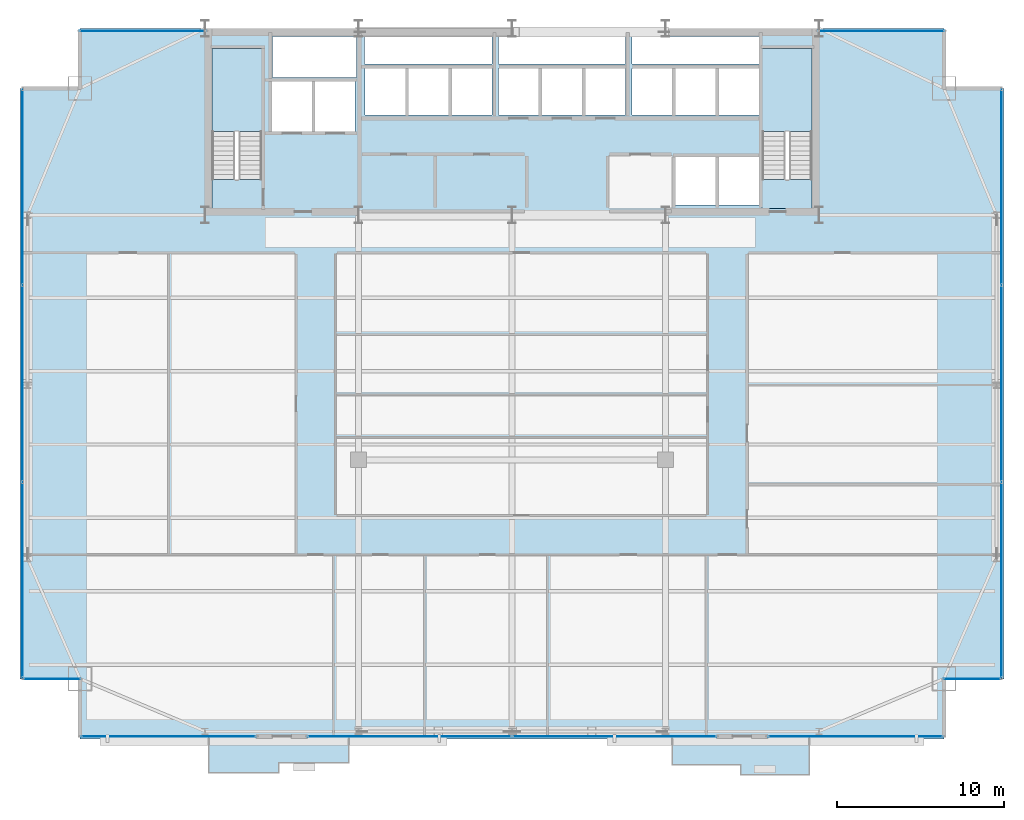
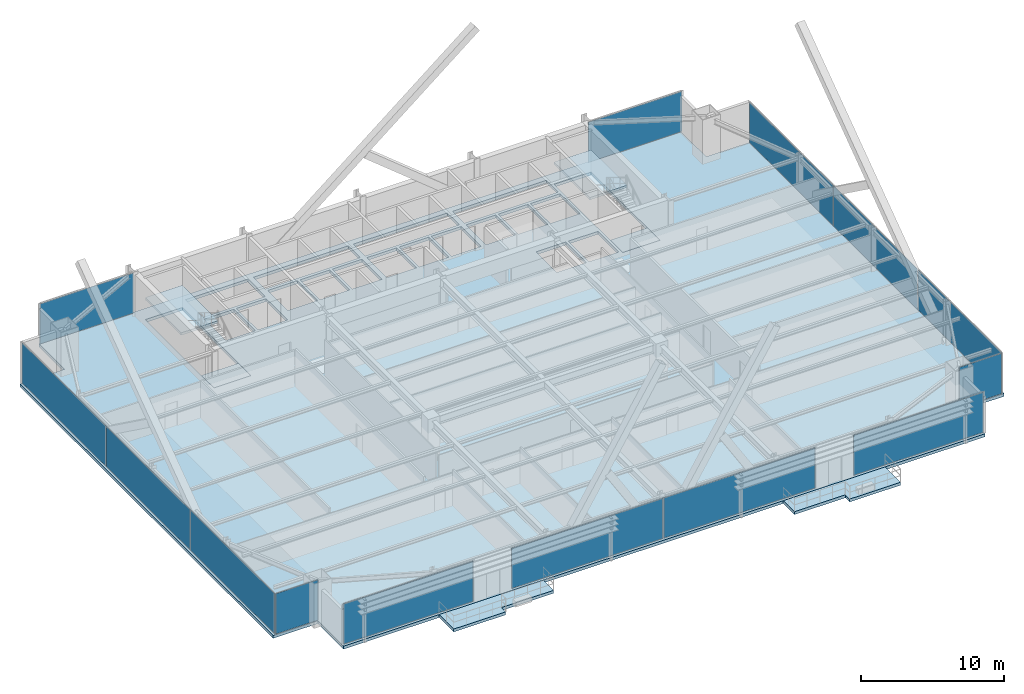
# One storey, part 28 of 37: 14 plates, 7 slabs, 11 elements without a shape of their own.
"""IFC4 building model written with IfcOpenShell, lengths in metres."""

from ifc_helpers import new_model, si_unit, direction, frame, origin, origin_2d, place, context, subcontext, project, spatial, polyline, rectangle, outline, extrude, source, transform, mapped, material, layer, layer_set, type_object, type_shapes, element, aggregate, save


model = new_model("IFC4")

# Units and contexts
model_context = context("Model", 3, precision=1e-05, world=origin(), true_north=direction((0.0, 1.0)))
body_context = subcontext(model_context, "Body", "Model", "MODEL_VIEW")
ifc_project = project(units=[si_unit("LENGTHUNIT", "METRE"), si_unit("AREAUNIT", "SQUARE_METRE"), si_unit("VOLUMEUNIT", "CUBIC_METRE"), si_unit("PLANEANGLEUNIT", "RADIAN"), si_unit("MASSUNIT", "GRAM", prefix="KILO")], contexts=[model_context])

# Site, building, storey
site_placement = place(None, origin())
site = spatial("IfcSite", under=ifc_project, at=site_placement, CompositionType="ELEMENT")
building_placement = place(site_placement, origin())
building = spatial("IfcBuilding", under=site, at=building_placement, Name="Varnel Quay Broadcast Tower", CompositionType="ELEMENT")
storey_placement = place(building_placement, frame((0.0, 0.0, 103.0)))
storey = spatial("IfcBuildingStorey", under=building, at=storey_placement, Name="L24", CompositionType="ELEMENT", Elevation=103.0)

# Slabs
ifc_material_1 = material(Name="Concrete CSA A23.3 C40/50", Category="concrete")
ifc_layer_1 = layer(ifc_material_1, 0.25, Name="Concrete CSA A23.3 C40/50")
ifc_layer_set_1 = layer_set([ifc_layer_1], Name="Concrete CSA A23.3 C40/50")
slab_type_1 = type_object("IfcSlabType", Name="Slab_ExtTerrace250", PredefinedType="FLOOR", material=ifc_layer_set_1)
slab_1_placement = place(storey_placement, frame((0.0, 0.0, -0.25)))
element("IfcSlab", 1, at=slab_1_placement, inside=storey, type_object=slab_type_1, Name="L24 Planted Lobe Terrace Slab 1", PredefinedType="FLOOR", context=body_context, shape_type="SweptSolid", body=[
    extrude(outline(polyline([(15.820068359375, 2.159912109375), (20.02001953125, 2.159912109375), (20.02001953125, 2.760009765625), (24.219970703125, 2.760009765625), (24.219970703125, 4.199951171875), (15.820068359375, 4.199951171875), (15.820068359375, 2.159912109375)])), origin(), (0.0, 0.0, 1.0), 0.25),
])
slab_2_placement = place(storey_placement, frame((0.0, 0.0, -0.25)))
element("IfcSlab", 2, at=slab_2_placement, inside=storey, type_object=slab_type_1, Name="L24 Planted Lobe Terrace Slab 2", PredefinedType="FLOOR", context=body_context, shape_type="SweptSolid", body=[
    extrude(outline(polyline([(43.60009765625, 2.639892578125), (47.7099609375, 2.639892578125), (47.7099609375, 2.0400390625), (51.820068359375, 2.0400390625), (51.820068359375, 4.199951171875), (43.60009765625, 4.199951171875), (43.60009765625, 2.639892578125)])), origin(), (0.0, 0.0, 1.0), 0.25),
])
ifc_material_2 = material(Name="Concrete CSA A23.3 C50/60", Category="concrete")
ifc_layer_2 = layer(ifc_material_2, 0.25, Name="Concrete CSA A23.3 C50/60")
ifc_layer_set_2 = layer_set([ifc_layer_2], Name="Concrete CSA A23.3 C50/60")
slab_type_2 = type_object("IfcSlabType", Name="Slab_Floor250", PredefinedType="FLOOR", material=ifc_layer_set_2)
slab_3_placement = place(storey_placement, frame((0.0, 0.0, -0.25)))
element("IfcSlab", 3, at=slab_3_placement, inside=storey, type_object=slab_type_2, Name="L24 Structural Slab", PredefinedType="FLOOR", context=body_context, shape_type="SweptSolid", body=[
    extrude(outline(polyline([(8.10009765625, 4.199951171875), (59.89990234375, 4.199951171875), (59.89990234375, 7.800048828125), (63.5, 7.800048828125), (63.5, 43.199951171875), (59.89990234375, 43.199951171875), (59.89990234375, 46.800048828125), (8.10009765625, 46.800048828125), (8.10009765625, 43.199951171875), (4.5, 43.199951171875), (4.5, 7.800048828125), (8.10009765625, 7.800048828125), (8.10009765625, 4.199951171875)]), holes=[polyline([(16.0, 36.0), (16.0, 45.60009765625), (19.0, 45.60009765625), (19.0, 36.0), (16.0, 36.0)]), polyline([(19.60009765625, 43.60009765625), (22.0, 43.60009765625), (22.0, 40.60009765625), (19.60009765625, 40.60009765625), (19.60009765625, 43.60009765625)]), polyline([(22.199951171875, 43.60009765625), (24.60009765625, 43.60009765625), (24.60009765625, 40.60009765625), (22.199951171875, 40.60009765625), (22.199951171875, 43.60009765625)]), polyline([(25.199951171875, 44.39990234375), (27.60009765625, 44.39990234375), (27.60009765625, 41.60009765625), (25.199951171875, 41.60009765625), (25.199951171875, 44.39990234375)]), polyline([(27.800048828125, 44.39990234375), (30.199951171875, 44.39990234375), (30.199951171875, 41.60009765625), (27.800048828125, 41.60009765625), (27.800048828125, 44.39990234375)]), polyline([(30.39990234375, 44.39990234375), (32.800048828125, 44.39990234375), (32.800048828125, 41.60009765625), (30.39990234375, 41.60009765625), (30.39990234375, 44.39990234375)]), polyline([(33.199951171875, 44.39990234375), (35.60009765625, 44.39990234375), (35.60009765625, 41.60009765625), (33.199951171875, 41.60009765625), (33.199951171875, 44.39990234375)]), polyline([(38.199951171875, 44.39990234375), (38.199951171875, 41.60009765625), (35.800048828125, 41.60009765625), (35.800048828125, 44.39990234375), (38.199951171875, 44.39990234375)]), polyline([(24.679931640625, 46.300048828125), (24.679931640625, 43.85009765625), (19.64990234375, 43.85009765625), (19.64990234375, 46.300048828125), (24.679931640625, 46.300048828125)]), polyline([(25.14990234375, 46.300048828125), (32.800048828125, 46.300048828125), (32.800048828125, 44.64990234375), (25.14990234375, 44.64990234375), (25.14990234375, 46.300048828125)]), polyline([(43.800048828125, 39.10009765625), (46.199951171875, 39.10009765625), (46.199951171875, 36.199951171875), (43.800048828125, 36.199951171875), (43.800048828125, 39.10009765625)]), polyline([(46.39990234375, 39.10009765625), (48.800048828125, 39.10009765625), (48.800048828125, 36.199951171875), (46.39990234375, 36.199951171875), (46.39990234375, 39.10009765625)]), polyline([(49.0, 45.60009765625), (52.0, 45.60009765625), (52.0, 36.0), (49.0, 36.0), (49.0, 45.60009765625)]), polyline([(40.800048828125, 44.39990234375), (40.800048828125, 41.60009765625), (38.39990234375, 41.60009765625), (38.39990234375, 44.39990234375), (40.800048828125, 44.39990234375)]), polyline([(41.199951171875, 44.39990234375), (43.60009765625, 44.39990234375), (43.60009765625, 41.60009765625), (41.199951171875, 41.60009765625), (41.199951171875, 44.39990234375)]), polyline([(43.800048828125, 44.39990234375), (46.199951171875, 44.39990234375), (46.199951171875, 41.60009765625), (43.800048828125, 41.60009765625), (43.800048828125, 44.39990234375)]), polyline([(46.39990234375, 44.39990234375), (48.800048828125, 44.39990234375), (48.800048828125, 41.60009765625), (46.39990234375, 41.60009765625), (46.39990234375, 44.39990234375)]), polyline([(40.800048828125, 46.300048828125), (40.800048828125, 44.64990234375), (33.199951171875, 44.64990234375), (33.199951171875, 46.300048828125), (40.800048828125, 46.300048828125)]), polyline([(48.800048828125, 46.300048828125), (48.800048828125, 44.64990234375), (41.199951171875, 44.64990234375), (41.199951171875, 46.300048828125), (48.800048828125, 46.300048828125)])]), origin(), (0.0, 0.0, 1.0), 0.25),
])
ifc_layer_3 = layer(ifc_material_2, 0.25, Name="Concrete CSA A23.3 C50/60")
ifc_layer_set_3 = layer_set([ifc_layer_3], Name="Concrete CSA A23.3 C50/60")
slab_type_3 = type_object("IfcSlabType", Name="Slab_StairFloorLanding250", PredefinedType="FLOOR", material=ifc_layer_set_3)
slab_4_placement = place(storey_placement, frame((0.0, 0.0, -0.25)))
element("IfcSlab", 4, at=slab_4_placement, inside=storey, type_object=slab_type_3, Name="L24 ST-01 Structural Floor Landing Slab", PredefinedType="FLOOR", context=body_context, shape_type="SweptSolid", body=[
    extrude(outline(polyline([(19.0, 36.0), (19.0, 37.75), (16.0, 37.75), (16.0, 36.0), (19.0, 36.0)])), origin(), (0.0, 0.0, 1.0), 0.25),
])
slab_5_placement = place(storey_placement, frame((0.0, 0.0, -0.25)))
element("IfcSlab", 5, at=slab_5_placement, inside=storey, type_object=slab_type_3, Name="L24 ST-02 Structural Floor Landing Slab", PredefinedType="FLOOR", context=body_context, shape_type="SweptSolid", body=[
    extrude(outline(polyline([(52.0, 36.0), (52.0, 37.75), (49.0, 37.75), (49.0, 36.0), (52.0, 36.0)])), origin(), (0.0, 0.0, 1.0), 0.25),
])

# Stair, slab
ifc_material_3 = material(Name="Precast Structural Concrete C40/50", Category="concrete")
stair_type_1 = type_object("IfcStairType", Name="Stair_ST-01", PredefinedType="HALF_TURN_STAIR", material=ifc_material_3)
stair_1_placement = place(storey_placement, origin())
stair_1 = element("IfcStair", 6, at=stair_1_placement, inside=storey, type_object=stair_type_1, Name="L24 West Core Exit Stair 1", PredefinedType="HALF_TURN_STAIR")
ifc_layer_4 = layer(ifc_material_3, 0.199951171875, Name="Precast Structural Concrete C40/50")
ifc_layer_set_4 = layer_set([ifc_layer_4], Name="Precast Structural Concrete C40/50")
slab_type_4 = type_object("IfcSlabType", Name="Slab_StairLanding200", PredefinedType="LANDING", material=ifc_layer_set_4)
slab_6_placement = place(storey_placement, frame((0.0, 0.0, 1.699951171875)))
slab_6 = element("IfcSlab", 7, at=slab_6_placement, type_object=slab_type_4, Name="ST-01 landing 1", PredefinedType="LANDING", context=body_context, shape_type="SweptSolid", body=[
    extrude(outline(polyline([(19.0, 40.60009765625), (19.0, 45.60009765625), (16.0, 45.60009765625), (16.0, 40.60009765625), (19.0, 40.60009765625)])), origin(), (0.0, 0.0, 1.0), 0.199951171875),
])
aggregate(stair_1, [slab_6])

stair_type_2 = type_object("IfcStairType", Name="Stair_ST-02", PredefinedType="HALF_TURN_STAIR", material=ifc_material_3)
stair_2_placement = place(storey_placement, origin())
stair_2 = element("IfcStair", 8, at=stair_2_placement, inside=storey, type_object=stair_type_2, Name="L24 East Core Exit Stair 2", PredefinedType="HALF_TURN_STAIR")
slab_7_placement = place(storey_placement, frame((0.0, 0.0, 1.699951171875)))
slab_7 = element("IfcSlab", 9, at=slab_7_placement, type_object=slab_type_4, Name="ST-02 landing 1", PredefinedType="LANDING", context=body_context, shape_type="SweptSolid", body=[
    extrude(outline(polyline([(52.0, 40.60009765625), (52.0, 45.60009765625), (49.0, 45.60009765625), (49.0, 40.60009765625), (52.0, 40.60009765625)])), origin(), (0.0, 0.0, 1.0), 0.199951171875),
])
aggregate(stair_2, [slab_7])

# Curtain wall, plates
ifc_material_4 = material(Name="Anodised Bronze Aluminium 6063-T6", Category="aluminium")
ifc_layer_5 = layer(ifc_material_4, 0.18994140625, Name="Anodised Bronze Aluminium 6063-T6")
ifc_layer_set_5 = layer_set([ifc_layer_5], Name="Anodised Bronze Aluminium 6063-T6")
curtain_wall_type_1 = type_object("IfcCurtainWallType", Name="CW_LowerTower", PredefinedType="NOTDEFINED", material=ifc_layer_set_5)
curtain_wall_1_placement = place(storey_placement, origin())
curtain_wall_1 = element("IfcCurtainWall", 10, at=curtain_wall_1_placement, inside=storey, type_object=curtain_wall_type_1, Name="L24 West Unitised Curtain Wall", PredefinedType="NOTDEFINED")
ifc_material_5 = material(Name="Insulated Bronze Spandrel Glass", Category="glass")
ifc_layer_6 = layer(ifc_material_5, 0.031982421875, Name="Insulated Bronze Spandrel Glass")
ifc_layer_set_6 = layer_set([ifc_layer_6], Name="Insulated Bronze Spandrel Glass")
plate_type_1 = type_object("IfcPlateType", Name="PanelSp_CWS-02", PredefinedType="CURTAIN_PANEL", material=ifc_layer_set_6)
shared_shape_1 = source(origin(), body_context, "Body", "SweptSolid", [
    extrude(rectangle(XDim=11.695068359375, YDim=0.031982421875, at=origin_2d()), origin(), (0.0, 0.0, 1.0), 3.429931640625),
])
plate_1_placement = place(storey_placement, frame((4.64990234375, 13.717529296875, 0.06005859375), z_axis=(0.0, 0.0, 1.0), x_axis=(0.0, 1.0, 0.0)))
plate_1 = element("IfcPlate", 11, at=plate_1_placement, type_object=plate_type_1, Name="CWS-02 panel 1.1", PredefinedType="CURTAIN_PANEL", context=body_context, shape_type="MappedRepresentation", body=[
    mapped(shared_shape_1, transform((0.0, 0.0, 0.0), x_axis=(1.0, 0.0, 0.0), y_axis=(0.0, 1.0, 0.0), z_axis=(0.0, 0.0, 1.0), scale=1.0)),
])
plate_2_placement = place(storey_placement, frame((4.64990234375, 37.282470703125, 0.06005859375), z_axis=(0.0, 0.0, 1.0), x_axis=(0.0, 1.0, 0.0)))
plate_2 = element("IfcPlate", 12, at=plate_2_placement, type_object=plate_type_1, Name="CWS-02 panel 3.1", PredefinedType="CURTAIN_PANEL", context=body_context, shape_type="MappedRepresentation", body=[
    mapped(shared_shape_1, transform((0.0, 0.0, 0.0), x_axis=(1.0, 0.0, 0.0), y_axis=(0.0, 1.0, 0.0), z_axis=(0.0, 0.0, 1.0), scale=1.0)),
])

curtain_wall_2_placement = place(storey_placement, origin())
curtain_wall_2 = element("IfcCurtainWall", 13, at=curtain_wall_2_placement, inside=storey, type_object=curtain_wall_type_1, Name="L24 East Unitised Curtain Wall", PredefinedType="NOTDEFINED")
plate_3_placement = place(storey_placement, frame((63.35009765625, 13.717529296875, 0.06005859375), z_axis=(0.0, 0.0, 1.0), x_axis=(0.0, 1.0, 0.0)))
plate_3 = element("IfcPlate", 14, at=plate_3_placement, type_object=plate_type_1, Name="CWS-02 panel 1.1", PredefinedType="CURTAIN_PANEL", context=body_context, shape_type="MappedRepresentation", body=[
    mapped(shared_shape_1, transform((0.0, 0.0, 0.0), x_axis=(1.0, 0.0, 0.0), y_axis=(0.0, 1.0, 0.0), z_axis=(0.0, 0.0, 1.0), scale=1.0)),
])
plate_4_placement = place(storey_placement, frame((63.35009765625, 37.282470703125, 0.06005859375), z_axis=(0.0, 0.0, 1.0), x_axis=(0.0, 1.0, 0.0)))
plate_4 = element("IfcPlate", 15, at=plate_4_placement, type_object=plate_type_1, Name="CWS-02 panel 3.1", PredefinedType="CURTAIN_PANEL", context=body_context, shape_type="MappedRepresentation", body=[
    mapped(shared_shape_1, transform((0.0, 0.0, 0.0), x_axis=(1.0, 0.0, 0.0), y_axis=(0.0, 1.0, 0.0), z_axis=(0.0, 0.0, 1.0), scale=1.0)),
])

# Plate
shared_shape_2 = source(origin(), body_context, "Body", "SweptSolid", [
    extrude(rectangle(XDim=11.72998046875, YDim=0.031982421875, at=origin_2d()), origin(), (0.0, 0.0, 1.0), 3.429931640625),
])
plate_5_placement = place(storey_placement, frame((4.64990234375, 25.5, 0.06005859375), z_axis=(0.0, 0.0, 1.0), x_axis=(0.0, 1.0, 0.0)))
plate_5 = element("IfcPlate", 16, at=plate_5_placement, type_object=plate_type_1, Name="CWS-02 panel 2.1", PredefinedType="CURTAIN_PANEL", context=body_context, shape_type="MappedRepresentation", body=[
    mapped(shared_shape_2, transform((0.0, 0.0, 0.0), x_axis=(1.0, 0.0, 0.0), y_axis=(0.0, 1.0, 0.0), z_axis=(0.0, 0.0, 1.0), scale=1.0)),
])

aggregate(curtain_wall_1, [plate_1, plate_5, plate_2])

plate_6_placement = place(storey_placement, frame((63.35009765625, 25.5, 0.06005859375), z_axis=(0.0, 0.0, 1.0), x_axis=(0.0, 1.0, 0.0)))
plate_6 = element("IfcPlate", 17, at=plate_6_placement, type_object=plate_type_1, Name="CWS-02 panel 2.1", PredefinedType="CURTAIN_PANEL", context=body_context, shape_type="MappedRepresentation", body=[
    mapped(shared_shape_2, transform((0.0, 0.0, 0.0), x_axis=(1.0, 0.0, 0.0), y_axis=(0.0, 1.0, 0.0), z_axis=(0.0, 0.0, 1.0), scale=1.0)),
])

aggregate(curtain_wall_2, [plate_3, plate_6, plate_4])

# Curtain wall, plate
ifc_layer_7 = layer(ifc_material_4, 0.18994140625, Name="Anodised Bronze Aluminium 6063-T6")
ifc_layer_set_7 = layer_set([ifc_layer_7], Name="Anodised Bronze Aluminium 6063-T6")
curtain_wall_type_2 = type_object("IfcCurtainWallType", Name="CW_NotchCorner", PredefinedType="NOTDEFINED", material=ifc_layer_set_7)
curtain_wall_3_placement = place(storey_placement, origin())
curtain_wall_3 = element("IfcCurtainWall", 18, at=curtain_wall_3_placement, inside=storey, type_object=curtain_wall_type_2, Name="L24 SW Notch Curtain Wall", PredefinedType="NOTDEFINED")
ifc_material_6 = material(Name="Triple-Glazed Bronze Low-E Architectural Glass", Category="glass")
ifc_layer_8 = layer(ifc_material_6, 0.028076171875, Name="Triple-Glazed Bronze Low-E Architectural Glass")
ifc_layer_set_8 = layer_set([ifc_layer_8], Name="Triple-Glazed Bronze Low-E Architectural Glass")
plate_type_2 = type_object("IfcPlateType", Name="Panel_CWS-04", PredefinedType="CURTAIN_PANEL", material=ifc_layer_set_8)
shared_shape_3 = source(origin(), body_context, "Body", "SweptSolid", [
    extrude(rectangle(XDim=3.409912109375, YDim=0.028076171875, at=origin_2d()), origin(), (0.0, 0.0, 1.0), 3.43994140625),
])
type_shapes(plate_type_2, [shared_shape_3])
plate_7_placement = place(storey_placement, frame((6.4150390625, 7.800048828125, 0.054931640625), z_axis=(0.0, 0.0, 1.0), x_axis=(1.0, 0.0, 0.0)))
plate_7 = element("IfcPlate", 19, at=plate_7_placement, type_object=plate_type_2, Name="CWS-04 panel 1.1", PredefinedType="CURTAIN_PANEL", context=body_context, shape_type="MappedRepresentation", body=[
    mapped(shared_shape_3, transform((0.0, 0.0, 0.0), x_axis=(1.0, 0.0, 0.0), y_axis=(0.0, 1.0, 0.0), z_axis=(0.0, 0.0, 1.0), scale=1.0)),
])
aggregate(curtain_wall_3, [plate_7])

curtain_wall_4_placement = place(storey_placement, origin())
curtain_wall_4 = element("IfcCurtainWall", 20, at=curtain_wall_4_placement, inside=storey, type_object=curtain_wall_type_2, Name="L24 SE Notch Curtain Wall", PredefinedType="NOTDEFINED")
plate_8_placement = place(storey_placement, frame((61.5849609375, 7.800048828125, 0.054931640625), z_axis=(0.0, 0.0, 1.0), x_axis=(1.0, 0.0, 0.0)))
plate_8 = element("IfcPlate", 21, at=plate_8_placement, type_object=plate_type_2, Name="CWS-04 panel 1.1", PredefinedType="CURTAIN_PANEL", context=body_context, shape_type="MappedRepresentation", body=[
    mapped(shared_shape_3, transform((0.0, 0.0, 0.0), x_axis=(1.0, 0.0, 0.0), y_axis=(0.0, 1.0, 0.0), z_axis=(0.0, 0.0, 1.0), scale=1.0)),
])
aggregate(curtain_wall_4, [plate_8])

curtain_wall_5_placement = place(storey_placement, origin())
curtain_wall_5 = element("IfcCurtainWall", 22, at=curtain_wall_5_placement, inside=storey, type_object=curtain_wall_type_1, Name="L24 NW Wing Curtain Wall", PredefinedType="NOTDEFINED")
ifc_layer_9 = layer(ifc_material_6, 0.031982421875, Name="Triple-Glazed Bronze Low-E Architectural Glass")
ifc_layer_set_9 = layer_set([ifc_layer_9], Name="Triple-Glazed Bronze Low-E Architectural Glass")
plate_type_3 = type_object("IfcPlateType", Name="Panel_CWS-02", PredefinedType="CURTAIN_PANEL", material=ifc_layer_set_9)
shared_shape_4 = source(origin(), body_context, "Body", "SweptSolid", [
    extrude(rectangle(XDim=7.5400390625, YDim=0.031982421875, at=origin_2d()), origin(), (0.0, 0.0, 1.0), 3.429931640625),
])
plate_9_placement = place(storey_placement, frame((11.860107421875, 46.64990234375, 0.06005859375), z_axis=(0.0, 0.0, 1.0), x_axis=(1.0, 0.0, 0.0)))
plate_9 = element("IfcPlate", 23, at=plate_9_placement, type_object=plate_type_3, Name="CWS-02 panel 1.1", PredefinedType="CURTAIN_PANEL", context=body_context, shape_type="MappedRepresentation", body=[
    mapped(shared_shape_4, transform((0.0, 0.0, 0.0), x_axis=(1.0, 0.0, 0.0), y_axis=(0.0, 1.0, 0.0), z_axis=(0.0, 0.0, 1.0), scale=1.0)),
])
aggregate(curtain_wall_5, [plate_9])

curtain_wall_6_placement = place(storey_placement, origin())
curtain_wall_6 = element("IfcCurtainWall", 24, at=curtain_wall_6_placement, inside=storey, type_object=curtain_wall_type_1, Name="L24 NE Wing Curtain Wall", PredefinedType="NOTDEFINED")
plate_10_placement = place(storey_placement, frame((56.139892578125, 46.64990234375, 0.06005859375), z_axis=(0.0, 0.0, 1.0), x_axis=(1.0, 0.0, 0.0)))
plate_10 = element("IfcPlate", 25, at=plate_10_placement, type_object=plate_type_3, Name="CWS-02 panel 1.1", PredefinedType="CURTAIN_PANEL", context=body_context, shape_type="MappedRepresentation", body=[
    mapped(shared_shape_4, transform((0.0, 0.0, 0.0), x_axis=(1.0, 0.0, 0.0), y_axis=(0.0, 1.0, 0.0), z_axis=(0.0, 0.0, 1.0), scale=1.0)),
])
aggregate(curtain_wall_6, [plate_10])

curtain_wall_7_placement = place(storey_placement, origin())
curtain_wall_7 = element("IfcCurtainWall", 26, at=curtain_wall_7_placement, inside=storey, type_object=curtain_wall_type_1, Name="L24 South Unitised Curtain Wall 1", PredefinedType="NOTDEFINED")
shared_shape_5 = source(origin(), body_context, "Body", "SweptSolid", [
    extrude(rectangle(XDim=10.47998046875, YDim=0.031982421875, at=origin_2d()), origin(), (0.0, 0.0, 1.0), 3.429931640625),
])
type_shapes(plate_type_3, [shared_shape_4, shared_shape_5])
plate_11_placement = place(storey_placement, frame((13.409912109375, 4.35009765625, 0.06005859375), z_axis=(0.0, 0.0, 1.0), x_axis=(1.0, 0.0, 0.0)))
plate_11 = element("IfcPlate", 27, at=plate_11_placement, type_object=plate_type_3, Name="CWS-02 panel 1.1", PredefinedType="CURTAIN_PANEL", context=body_context, shape_type="MappedRepresentation", body=[
    mapped(shared_shape_5, transform((0.0, 0.0, 0.0), x_axis=(1.0, 0.0, 0.0), y_axis=(0.0, 1.0, 0.0), z_axis=(0.0, 0.0, 1.0), scale=1.0)),
])
aggregate(curtain_wall_7, [plate_11])

curtain_wall_8_placement = place(storey_placement, origin())
curtain_wall_8 = element("IfcCurtainWall", 28, at=curtain_wall_8_placement, inside=storey, type_object=curtain_wall_type_1, Name="L24 South Unitised Curtain Wall 3", PredefinedType="NOTDEFINED")
plate_12_placement = place(storey_placement, frame((54.590087890625, 4.35009765625, 0.06005859375), z_axis=(0.0, 0.0, 1.0), x_axis=(1.0, 0.0, 0.0)))
plate_12 = element("IfcPlate", 29, at=plate_12_placement, type_object=plate_type_3, Name="CWS-02 panel 1.1", PredefinedType="CURTAIN_PANEL", context=body_context, shape_type="MappedRepresentation", body=[
    mapped(shared_shape_5, transform((0.0, 0.0, 0.0), x_axis=(1.0, 0.0, 0.0), y_axis=(0.0, 1.0, 0.0), z_axis=(0.0, 0.0, 1.0), scale=1.0)),
])
aggregate(curtain_wall_8, [plate_12])

# Curtain wall, plates
curtain_wall_9_placement = place(storey_placement, origin())
curtain_wall_9 = element("IfcCurtainWall", 30, at=curtain_wall_9_placement, inside=storey, type_object=curtain_wall_type_1, Name="L24 South Unitised Curtain Wall 2", PredefinedType="NOTDEFINED")
shared_shape_6 = source(origin(), body_context, "Body", "SweptSolid", [
    extrude(rectangle(XDim=12.215087890625, YDim=0.031982421875, at=origin_2d()), origin(), (0.0, 0.0, 1.0), 3.429931640625),
])
type_shapes(plate_type_1, [shared_shape_1, shared_shape_2, shared_shape_6])
plate_13_placement = place(storey_placement, frame((27.857421875, 4.35009765625, 0.06005859375), z_axis=(0.0, 0.0, 1.0), x_axis=(1.0, 0.0, 0.0)))
plate_13 = element("IfcPlate", 31, at=plate_13_placement, type_object=plate_type_1, Name="CWS-02 panel 1.1", PredefinedType="CURTAIN_PANEL", context=body_context, shape_type="MappedRepresentation", body=[
    mapped(shared_shape_6, transform((0.0, 0.0, 0.0), x_axis=(1.0, 0.0, 0.0), y_axis=(0.0, 1.0, 0.0), z_axis=(0.0, 0.0, 1.0), scale=1.0)),
])
plate_14_placement = place(storey_placement, frame((40.142578125, 4.35009765625, 0.06005859375), z_axis=(0.0, 0.0, 1.0), x_axis=(1.0, 0.0, 0.0)))
plate_14 = element("IfcPlate", 32, at=plate_14_placement, type_object=plate_type_1, Name="CWS-02 panel 2.1", PredefinedType="CURTAIN_PANEL", context=body_context, shape_type="MappedRepresentation", body=[
    mapped(shared_shape_6, transform((0.0, 0.0, 0.0), x_axis=(1.0, 0.0, 0.0), y_axis=(0.0, 1.0, 0.0), z_axis=(0.0, 0.0, 1.0), scale=1.0)),
])
aggregate(curtain_wall_9, [plate_13, plate_14])

save(model, "model.ifc")
